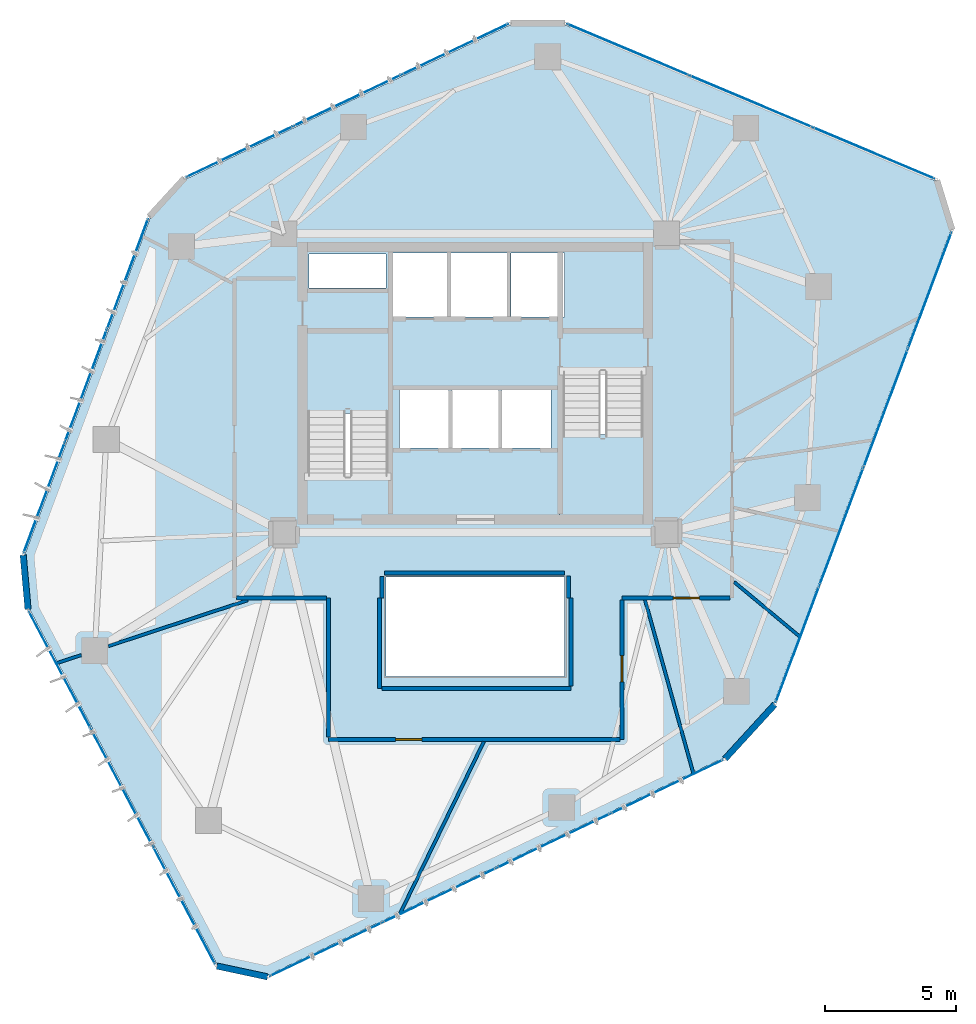
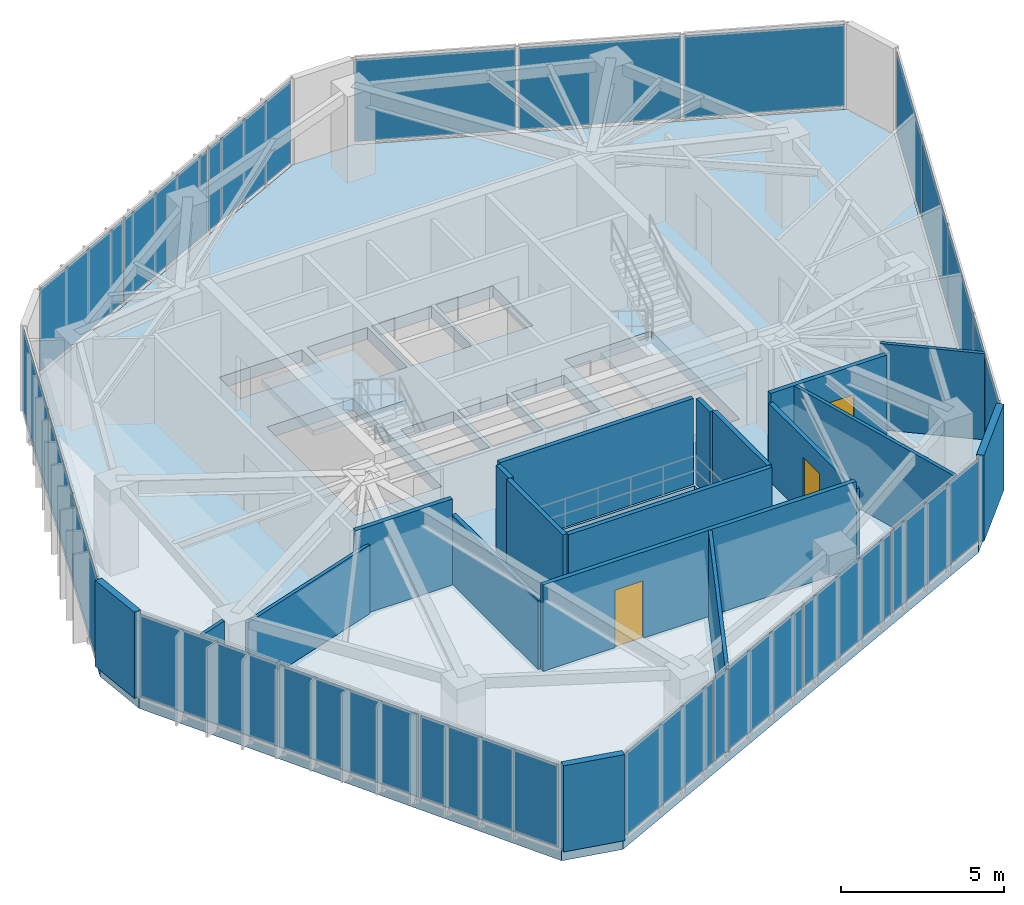
# One storey, part 14 of 18: 20 plates, 19 walls, 3 doors, 3 slabs, 3 openings, 8 elements without a shape of their own.
"""IFC4 building model written with IfcOpenShell, lengths in metres."""

from ifc_helpers import new_model, si_unit, direction, frame, frame_2d, origin, origin_2d, place, context, subcontext, project, spatial, polyline, rectangle, outline, extrude, source, transform, mapped, material, layer, layer_set, type_object, type_shapes, element, fill, aggregate, save


model = new_model("IFC4")

# Units and contexts
model_context = context("Model", 3, precision=1e-05, world=origin(), true_north=direction((0.0, 1.0)))
body_context = subcontext(model_context, "Body", "Model", "MODEL_VIEW")
ifc_project = project(units=[si_unit("LENGTHUNIT", "METRE"), si_unit("AREAUNIT", "SQUARE_METRE"), si_unit("VOLUMEUNIT", "CUBIC_METRE"), si_unit("PLANEANGLEUNIT", "RADIAN"), si_unit("MASSUNIT", "GRAM", prefix="KILO")], contexts=[model_context])

# Site, building, storey
site_placement = place(None, origin())
site = spatial("IfcSite", under=ifc_project, at=site_placement, CompositionType="ELEMENT")
building_placement = place(site_placement, origin())
building = spatial("IfcBuilding", under=site, at=building_placement, Name="Talar Marvaseh", CompositionType="ELEMENT")
storey_placement = place(building_placement, frame((0.0, 0.0, 167.0)))
storey = spatial("IfcBuildingStorey", under=building, at=storey_placement, Name="L43", CompositionType="ELEMENT", Elevation=167.0)

# Stair, slab
ifc_material_1 = material(Name="Concrete C40/50", Category="concrete")
stair_type = type_object("IfcStairType", Name="Reinforced Concrete High-Rise Exit Stair Type C", PredefinedType="HALF_TURN_STAIR", material=ifc_material_1)
stair_1_placement = place(storey_placement, origin())
stair_1 = element("IfcStair", 1, at=stair_1_placement, inside=storey, type_object=stair_type, Name="L43 Tower West Core Exit Stair", PredefinedType="HALF_TURN_STAIR")
ifc_layer_1 = layer(ifc_material_1, 0.199951171875)
ifc_layer_set_1 = layer_set([ifc_layer_1], Name="Concrete C40/50")
slab_type_1 = type_object("IfcSlabType", Name="Reinforced Concrete Stair Half-Landing Slab 200", PredefinedType="LANDING", material=ifc_layer_set_1)
slab_1_placement = place(storey_placement, frame((0.0, 0.0, 1.550048828125)))
slab_1 = element("IfcSlab", 2, at=slab_1_placement, type_object=slab_type_1, Name="ST-1 landing 1", PredefinedType="LANDING", context=body_context, shape_type="SweptSolid", body=[
    extrude(outline(polyline([(22.780029296875, 30.050048828125), (22.780029296875, 33.219970703125), (19.47998046875, 33.219970703125), (19.47998046875, 30.050048828125), (22.780029296875, 30.050048828125)])), origin(), (0.0, 0.0, 1.0), 0.199951171875),
])
aggregate(stair_1, [slab_1])

stair_2_placement = place(storey_placement, origin())
stair_2 = element("IfcStair", 3, at=stair_2_placement, inside=storey, type_object=stair_type, Name="L43 Tower East Core Exit Stair", PredefinedType="HALF_TURN_STAIR")
slab_2_placement = place(storey_placement, frame((0.0, 0.0, 1.550048828125)))
slab_2 = element("IfcSlab", 4, at=slab_2_placement, type_object=slab_type_1, Name="ST-2 landing 1", PredefinedType="LANDING", context=body_context, shape_type="SweptSolid", body=[
    extrude(outline(polyline([(29.219970703125, 29.25), (29.219970703125, 26.080078125), (32.52001953125, 26.080078125), (32.52001953125, 29.25), (29.219970703125, 29.25)])), origin(), (0.0, 0.0, 1.0), 0.199951171875),
])
aggregate(stair_2, [slab_2])

# Slab
ifc_material_2 = material(Name="Concrete C60/75", Category="concrete")
ifc_layer_2 = layer(ifc_material_2, 0.449951171875)
ifc_layer_set_2 = layer_set([ifc_layer_2], Name="Concrete C60/75")
slab_type_2 = type_object("IfcSlabType", Name="Structural Suspended Floor Slab 450", PredefinedType="FLOOR", material=ifc_layer_set_2)
slab_3_placement = place(storey_placement, frame((0.0, 0.0, -0.449951171875)))
element("IfcSlab", 5, at=slab_3_placement, inside=storey, type_object=slab_type_2, Name="L43 Tower Floor Slab", PredefinedType="FLOOR", context=body_context, shape_type="SweptSolid", body=[
    extrude(outline(polyline([(18.081298828125, 8.589111328125), (16.147216796875, 9.002685546875), (8.982421875, 22.565673828125), (8.7958984375, 24.64599609375), (13.589599609375, 37.513671875), (14.94287109375, 38.990478515625), (27.34375, 44.887451171875), (29.432373046875, 44.8828125), (43.568115234375, 38.927490234375), (44.148681640625, 37.036865234375), (37.39111328125, 18.97119140625), (35.4892578125, 16.8955078125), (18.081298828125, 8.589111328125)]), holes=[polyline([(22.659912109375, 27.64990234375), (22.659912109375, 33.10009765625), (19.60009765625, 33.10009765625), (19.60009765625, 27.64990234375), (22.659912109375, 27.64990234375)]), polyline([(29.340087890625, 31.64990234375), (29.340087890625, 26.199951171875), (32.39990234375, 26.199951171875), (32.39990234375, 31.64990234375), (29.340087890625, 31.64990234375)]), polyline([(22.800048828125, 33.719970703125), (24.93994140625, 33.719970703125), (24.93994140625, 36.179931640625), (22.800048828125, 36.179931640625), (22.800048828125, 33.719970703125)]), polyline([(25.080078125, 33.719970703125), (27.219970703125, 33.719970703125), (27.219970703125, 36.179931640625), (25.080078125, 36.179931640625), (25.080078125, 33.719970703125)]), polyline([(27.360107421875, 33.719970703125), (29.39990234375, 33.719970703125), (29.39990234375, 36.179931640625), (27.360107421875, 36.179931640625), (27.360107421875, 33.719970703125)]), polyline([(23.10009765625, 28.719970703125), (24.97998046875, 28.719970703125), (24.97998046875, 30.93994140625), (23.10009765625, 30.93994140625), (23.10009765625, 28.719970703125)]), polyline([(25.1201171875, 28.719970703125), (26.8798828125, 28.719970703125), (26.8798828125, 30.93994140625), (25.1201171875, 30.93994140625), (25.1201171875, 28.719970703125)]), polyline([(27.02001953125, 28.719970703125), (28.89990234375, 28.719970703125), (28.89990234375, 30.93994140625), (27.02001953125, 30.93994140625), (27.02001953125, 28.719970703125)]), polyline([(19.659912109375, 34.840087890625), (22.60009765625, 34.840087890625), (22.60009765625, 36.139892578125), (19.659912109375, 36.139892578125), (19.659912109375, 34.840087890625)]), polyline([(22.60009765625, 20.0), (29.39990234375, 20.0), (29.39990234375, 23.800048828125), (22.60009765625, 23.800048828125), (22.60009765625, 20.0)])]), origin(), (0.0, 0.0, 1.0), 0.449951171875),
])

# Curtain wall, plates
ifc_material_3 = material(Name="Architectural Aluminium", Category="aluminium")
ifc_layer_3 = layer(ifc_material_3, 0.18994140625)
ifc_layer_set_3 = layer_set([ifc_layer_3], Name="Architectural Aluminium")
curtain_wall_type = type_object("IfcCurtainWallType", Name="Unitised Solar Atelier Curtain Wall Z3", PredefinedType="NOTDEFINED", material=ifc_layer_set_3)
curtain_wall_1_placement = place(storey_placement, origin())
curtain_wall_1 = element("IfcCurtainWall", 6, at=curtain_wall_1_placement, inside=storey, type_object=curtain_wall_type, Name="L43 Unitised Solar Atelier Curtain Wall Z3", PredefinedType="NOTDEFINED")
ifc_material_4 = material(Name="Laminated Low-E Solar Glass", Category="glass")
ifc_layer_4 = layer(ifc_material_4, 0.028076171875)
ifc_layer_set_4 = layer_set([ifc_layer_4], Name="Laminated Low-E Solar Glass")
plate_type = type_object("IfcPlateType", Name="Double-Glazed Low-E Vision Curtain Panel 28", PredefinedType="CURTAIN_PANEL", material=ifc_layer_set_4)
shared_shape_1 = source(origin(), body_context, "Body", "SweptSolid", [
    extrude(rectangle(XDim=5.00048828125, YDim=0.028076171875, at=origin_2d()), origin(), (0.0, 0.0, 1.0), 3.080078125),
])
plate_1_placement = place(storey_placement, frame((14.891357421875, 11.251953125, 0.074951171875), z_axis=(0.0, 0.0, 1.0), x_axis=(-0.467100357418, 0.884204306764, 0.0)))
plate_1 = element("IfcPlate", 7, at=plate_1_placement, type_object=plate_type, Name="CW-Z3 panel 1.1", PredefinedType="CURTAIN_PANEL", context=body_context, shape_type="MappedRepresentation", body=[
    mapped(shared_shape_1, transform((0.0, 0.0, 0.0), x_axis=(1.0, 0.0, 0.0), y_axis=(0.0, 1.0, 0.0), z_axis=(0.0, 0.0, 1.0), scale=1.0)),
])
plate_2_placement = place(storey_placement, frame((10.13232421875, 20.2607421875, 0.074951171875), z_axis=(0.0, 0.0, 1.0), x_axis=(-0.467100357418, 0.884204306764, 0.0)))
plate_2 = element("IfcPlate", 8, at=plate_2_placement, type_object=plate_type, Name="CW-Z3 panel 3.1", PredefinedType="CURTAIN_PANEL", context=body_context, shape_type="MappedRepresentation", body=[
    mapped(shared_shape_1, transform((0.0, 0.0, 0.0), x_axis=(1.0, 0.0, 0.0), y_axis=(0.0, 1.0, 0.0), z_axis=(0.0, 0.0, 1.0), scale=1.0)),
])

curtain_wall_2_placement = place(storey_placement, origin())
curtain_wall_2 = element("IfcCurtainWall", 9, at=curtain_wall_2_placement, inside=storey, type_object=curtain_wall_type, Name="L43 Unitised Solar Atelier Curtain Wall Z3", PredefinedType="NOTDEFINED")
plate_3_placement = place(storey_placement, frame((31.828857421875, 43.938232421875, 0.074951171875), z_axis=(0.0, 0.0, 1.0), x_axis=(0.921550801583, -0.388257801082, 0.0)))
plate_3 = element("IfcPlate", 10, at=plate_3_placement, type_object=plate_type, Name="CW-Z3 panel 1.1", PredefinedType="CURTAIN_PANEL", context=body_context, shape_type="MappedRepresentation", body=[
    mapped(shared_shape_1, transform((0.0, 0.0, 0.0), x_axis=(1.0, 0.0, 0.0), y_axis=(0.0, 1.0, 0.0), z_axis=(0.0, 0.0, 1.0), scale=1.0)),
])
plate_4_placement = place(storey_placement, frame((41.21826171875, 39.982666015625, 0.074951171875), z_axis=(0.0, 0.0, 1.0), x_axis=(0.921550801583, -0.388257801082, 0.0)))
plate_4 = element("IfcPlate", 11, at=plate_4_placement, type_object=plate_type, Name="CW-Z3 panel 3.1", PredefinedType="CURTAIN_PANEL", context=body_context, shape_type="MappedRepresentation", body=[
    mapped(shared_shape_1, transform((0.0, 0.0, 0.0), x_axis=(1.0, 0.0, 0.0), y_axis=(0.0, 1.0, 0.0), z_axis=(0.0, 0.0, 1.0), scale=1.0)),
])

# Plate
shared_shape_2 = source(origin(), body_context, "Body", "SweptSolid", [
    extrude(rectangle(XDim=5.0380859375, YDim=0.028076171875, at=origin_2d()), origin(), (0.0, 0.0, 1.0), 3.080078125),
])
plate_5_placement = place(storey_placement, frame((12.51171875, 15.75634765625, 0.074951171875), z_axis=(0.0, 0.0, 1.0), x_axis=(-0.467100357418, 0.884204306764, 0.0)))
plate_5 = element("IfcPlate", 12, at=plate_5_placement, type_object=plate_type, Name="CW-Z3 panel 2.1", PredefinedType="CURTAIN_PANEL", context=body_context, shape_type="MappedRepresentation", body=[
    mapped(shared_shape_2, transform((0.0, 0.0, 0.0), x_axis=(1.0, 0.0, 0.0), y_axis=(0.0, 1.0, 0.0), z_axis=(0.0, 0.0, 1.0), scale=1.0)),
])

aggregate(curtain_wall_1, [plate_1, plate_5, plate_2])

plate_6_placement = place(storey_placement, frame((36.5234375, 41.96044921875, 0.074951171875), z_axis=(0.0, 0.0, 1.0), x_axis=(0.921550801583, -0.388257801082, 0.0)))
plate_6 = element("IfcPlate", 13, at=plate_6_placement, type_object=plate_type, Name="CW-Z3 panel 2.1", PredefinedType="CURTAIN_PANEL", context=body_context, shape_type="MappedRepresentation", body=[
    mapped(shared_shape_2, transform((0.0, 0.0, 0.0), x_axis=(1.0, 0.0, 0.0), y_axis=(0.0, 1.0, 0.0), z_axis=(0.0, 0.0, 1.0), scale=1.0)),
])

aggregate(curtain_wall_2, [plate_3, plate_6, plate_4])

# Curtain wall, plates
curtain_wall_3_placement = place(storey_placement, origin())
curtain_wall_3 = element("IfcCurtainWall", 14, at=curtain_wall_3_placement, inside=storey, type_object=curtain_wall_type, Name="L43 Unitised Solar Atelier Curtain Wall Z3", PredefinedType="NOTDEFINED")
shared_shape_3 = source(origin(), body_context, "Body", "SweptSolid", [
    extrude(rectangle(XDim=4.46484375, YDim=0.028076171875, at=origin_2d()), origin(), (0.0, 0.0, 1.0), 3.080078125),
])
plate_7_placement = place(storey_placement, frame((9.545166015625, 26.8291015625, 0.074951171875), z_axis=(0.0, 0.0, 1.0), x_axis=(0.349097111162, 0.937086552554, 0.0)))
plate_7 = element("IfcPlate", 15, at=plate_7_placement, type_object=plate_type, Name="CW-Z3 panel 1.1", PredefinedType="CURTAIN_PANEL", context=body_context, shape_type="MappedRepresentation", body=[
    mapped(shared_shape_3, transform((0.0, 0.0, 0.0), x_axis=(1.0, 0.0, 0.0), y_axis=(0.0, 1.0, 0.0), z_axis=(0.0, 0.0, 1.0), scale=1.0)),
])
plate_8_placement = place(storey_placement, frame((12.727783203125, 35.372314453125, 0.074951171875), z_axis=(0.0, 0.0, 1.0), x_axis=(0.349097111162, 0.937086552554, 0.0)))
plate_8 = element("IfcPlate", 16, at=plate_8_placement, type_object=plate_type, Name="CW-Z3 panel 3.1", PredefinedType="CURTAIN_PANEL", context=body_context, shape_type="MappedRepresentation", body=[
    mapped(shared_shape_3, transform((0.0, 0.0, 0.0), x_axis=(1.0, 0.0, 0.0), y_axis=(0.0, 1.0, 0.0), z_axis=(0.0, 0.0, 1.0), scale=1.0)),
])

curtain_wall_4_placement = place(storey_placement, origin())
curtain_wall_4 = element("IfcCurtainWall", 17, at=curtain_wall_4_placement, inside=storey, type_object=curtain_wall_type, Name="L43 Unitised Solar Atelier Curtain Wall Z3", PredefinedType="NOTDEFINED")
plate_9_placement = place(storey_placement, frame((17.000732421875, 40.03564453125, 0.074951171875), z_axis=(0.0, 0.0, 1.0), x_axis=(0.903093262381, 0.429444477717, 0.0)))
plate_9 = element("IfcPlate", 18, at=plate_9_placement, type_object=plate_type, Name="CW-Z3 panel 1.1", PredefinedType="CURTAIN_PANEL", context=body_context, shape_type="MappedRepresentation", body=[
    mapped(shared_shape_3, transform((0.0, 0.0, 0.0), x_axis=(1.0, 0.0, 0.0), y_axis=(0.0, 1.0, 0.0), z_axis=(0.0, 0.0, 1.0), scale=1.0)),
])
plate_10_placement = place(storey_placement, frame((25.234130859375, 43.950927734375, 0.074951171875), z_axis=(0.0, 0.0, 1.0), x_axis=(0.903093262381, 0.429444477717, 0.0)))
plate_10 = element("IfcPlate", 19, at=plate_10_placement, type_object=plate_type, Name="CW-Z3 panel 3.1", PredefinedType="CURTAIN_PANEL", context=body_context, shape_type="MappedRepresentation", body=[
    mapped(shared_shape_3, transform((0.0, 0.0, 0.0), x_axis=(1.0, 0.0, 0.0), y_axis=(0.0, 1.0, 0.0), z_axis=(0.0, 0.0, 1.0), scale=1.0)),
])

# Plate
shared_shape_4 = source(origin(), body_context, "Body", "SweptSolid", [
    extrude(rectangle(XDim=4.502197265625, YDim=0.028076171875, at=origin_2d()), origin(), (0.0, 0.0, 1.0), 3.080078125),
])
plate_11_placement = place(storey_placement, frame((11.136474609375, 31.1005859375, 0.074951171875), z_axis=(0.0, 0.0, 1.0), x_axis=(0.349097111162, 0.937086552554, 0.0)))
plate_11 = element("IfcPlate", 20, at=plate_11_placement, type_object=plate_type, Name="CW-Z3 panel 2.1", PredefinedType="CURTAIN_PANEL", context=body_context, shape_type="MappedRepresentation", body=[
    mapped(shared_shape_4, transform((0.0, 0.0, 0.0), x_axis=(1.0, 0.0, 0.0), y_axis=(0.0, 1.0, 0.0), z_axis=(0.0, 0.0, 1.0), scale=1.0)),
])

aggregate(curtain_wall_3, [plate_7, plate_11, plate_8])

plate_12_placement = place(storey_placement, frame((21.117431640625, 41.9931640625, 0.074951171875), z_axis=(0.0, 0.0, 1.0), x_axis=(0.903093262381, 0.429444477717, 0.0)))
plate_12 = element("IfcPlate", 21, at=plate_12_placement, type_object=plate_type, Name="CW-Z3 panel 2.1", PredefinedType="CURTAIN_PANEL", context=body_context, shape_type="MappedRepresentation", body=[
    mapped(shared_shape_4, transform((0.0, 0.0, 0.0), x_axis=(1.0, 0.0, 0.0), y_axis=(0.0, 1.0, 0.0), z_axis=(0.0, 0.0, 1.0), scale=1.0)),
])

aggregate(curtain_wall_4, [plate_9, plate_12, plate_10])

# Curtain wall, plates
curtain_wall_5_placement = place(storey_placement, origin())
curtain_wall_5 = element("IfcCurtainWall", 22, at=curtain_wall_5_placement, inside=storey, type_object=curtain_wall_type, Name="L43 Unitised Solar Atelier Curtain Wall Z3", PredefinedType="NOTDEFINED")
shared_shape_5 = source(origin(), body_context, "Body", "SweptSolid", [
    extrude(rectangle(XDim=4.70947265625, YDim=0.028076171875, at=origin_2d()), origin(), (0.0, 0.0, 1.0), 3.080078125),
])
plate_13_placement = place(storey_placement, frame((43.353759765625, 34.739990234375, 0.074951171875), z_axis=(0.0, 0.0, 1.0), x_axis=(-0.350355160345, -0.936616923625, 0.0)))
plate_13 = element("IfcPlate", 23, at=plate_13_placement, type_object=plate_type, Name="CW-Z3 panel 1.1", PredefinedType="CURTAIN_PANEL", context=body_context, shape_type="MappedRepresentation", body=[
    mapped(shared_shape_5, transform((0.0, 0.0, 0.0), x_axis=(1.0, 0.0, 0.0), y_axis=(0.0, 1.0, 0.0), z_axis=(0.0, 0.0, 1.0), scale=1.0)),
])
plate_14_placement = place(storey_placement, frame((38.298583984375, 21.22607421875, 0.074951171875), z_axis=(0.0, 0.0, 1.0), x_axis=(-0.350355160345, -0.936616923625, 0.0)))
plate_14 = element("IfcPlate", 24, at=plate_14_placement, type_object=plate_type, Name="CW-Z3 panel 4.1", PredefinedType="CURTAIN_PANEL", context=body_context, shape_type="MappedRepresentation", body=[
    mapped(shared_shape_5, transform((0.0, 0.0, 0.0), x_axis=(1.0, 0.0, 0.0), y_axis=(0.0, 1.0, 0.0), z_axis=(0.0, 0.0, 1.0), scale=1.0)),
])

curtain_wall_6_placement = place(storey_placement, origin())
curtain_wall_6 = element("IfcCurtainWall", 25, at=curtain_wall_6_placement, inside=storey, type_object=curtain_wall_type, Name="L43 Unitised Solar Atelier Curtain Wall Z3", PredefinedType="NOTDEFINED")
plate_15_placement = place(storey_placement, frame((33.322021484375, 15.794921875, 0.074951171875), z_axis=(0.0, 0.0, 1.0), x_axis=(-0.902518593112, -0.430650890034, 0.0)))
plate_15 = element("IfcPlate", 26, at=plate_15_placement, type_object=plate_type, Name="CW-Z3 panel 1.1", PredefinedType="CURTAIN_PANEL", context=body_context, shape_type="MappedRepresentation", body=[
    mapped(shared_shape_5, transform((0.0, 0.0, 0.0), x_axis=(1.0, 0.0, 0.0), y_axis=(0.0, 1.0, 0.0), z_axis=(0.0, 0.0, 1.0), scale=1.0)),
])
plate_16_placement = place(storey_placement, frame((20.2998046875, 9.581298828125, 0.074951171875), z_axis=(0.0, 0.0, 1.0), x_axis=(-0.902518593112, -0.430650890034, 0.0)))
plate_16 = element("IfcPlate", 27, at=plate_16_placement, type_object=plate_type, Name="CW-Z3 panel 4.1", PredefinedType="CURTAIN_PANEL", context=body_context, shape_type="MappedRepresentation", body=[
    mapped(shared_shape_5, transform((0.0, 0.0, 0.0), x_axis=(1.0, 0.0, 0.0), y_axis=(0.0, 1.0, 0.0), z_axis=(0.0, 0.0, 1.0), scale=1.0)),
])

# Plate
shared_shape_6 = source(origin(), body_context, "Body", "SweptSolid", [
    extrude(rectangle(XDim=4.7470703125, YDim=0.028076171875, at=origin_2d()), origin(), (0.0, 0.0, 1.0), 3.080078125),
])
type_shapes(plate_type, [shared_shape_1, shared_shape_2, shared_shape_3, shared_shape_4, shared_shape_5, shared_shape_6])
plate_17_placement = place(storey_placement, frame((41.6708984375, 30.2412109375, 0.074951171875), z_axis=(0.0, 0.0, 1.0), x_axis=(-0.350355160345, -0.936616923625, 0.0)))
plate_17 = element("IfcPlate", 28, at=plate_17_placement, type_object=plate_type, Name="CW-Z3 panel 2.1", PredefinedType="CURTAIN_PANEL", context=body_context, shape_type="MappedRepresentation", body=[
    mapped(shared_shape_6, transform((0.0, 0.0, 0.0), x_axis=(1.0, 0.0, 0.0), y_axis=(0.0, 1.0, 0.0), z_axis=(0.0, 0.0, 1.0), scale=1.0)),
])

plate_18_placement = place(storey_placement, frame((39.9814453125, 25.724853515625, 0.074951171875), z_axis=(0.0, 0.0, 1.0), x_axis=(-0.350355160345, -0.936616923625, 0.0)))
plate_18 = element("IfcPlate", 29, at=plate_18_placement, type_object=plate_type, Name="CW-Z3 panel 3.1", PredefinedType="CURTAIN_PANEL", context=body_context, shape_type="MappedRepresentation", body=[
    mapped(shared_shape_6, transform((0.0, 0.0, 0.0), x_axis=(1.0, 0.0, 0.0), y_axis=(0.0, 1.0, 0.0), z_axis=(0.0, 0.0, 1.0), scale=1.0)),
])

aggregate(curtain_wall_5, [plate_13, plate_17, plate_18, plate_14])

plate_19_placement = place(storey_placement, frame((28.987060546875, 13.7265625, 0.074951171875), z_axis=(0.0, 0.0, 1.0), x_axis=(-0.902518593112, -0.430650890034, 0.0)))
plate_19 = element("IfcPlate", 30, at=plate_19_placement, type_object=plate_type, Name="CW-Z3 panel 2.1", PredefinedType="CURTAIN_PANEL", context=body_context, shape_type="MappedRepresentation", body=[
    mapped(shared_shape_6, transform((0.0, 0.0, 0.0), x_axis=(1.0, 0.0, 0.0), y_axis=(0.0, 1.0, 0.0), z_axis=(0.0, 0.0, 1.0), scale=1.0)),
])

plate_20_placement = place(storey_placement, frame((24.635009765625, 11.64990234375, 0.074951171875), z_axis=(0.0, 0.0, 1.0), x_axis=(-0.902518593112, -0.430650890034, 0.0)))
plate_20 = element("IfcPlate", 31, at=plate_20_placement, type_object=plate_type, Name="CW-Z3 panel 3.1", PredefinedType="CURTAIN_PANEL", context=body_context, shape_type="MappedRepresentation", body=[
    mapped(shared_shape_6, transform((0.0, 0.0, 0.0), x_axis=(1.0, 0.0, 0.0), y_axis=(0.0, 1.0, 0.0), z_axis=(0.0, 0.0, 1.0), scale=1.0)),
])

aggregate(curtain_wall_6, [plate_15, plate_19, plate_20, plate_16])

# Walls
ifc_material_5 = material(Name="Precast concrete C45/55", Category="concrete")
ifc_layer_5 = layer(ifc_material_5, 0.239990234375)
ifc_layer_set_5 = layer_set([ifc_layer_5], Name="Precast concrete C45/55")
wall_type_1 = type_object("IfcWallType", Name="Chamfered Hexagonal Corner Pier Wall Z3 240", PredefinedType="SOLIDWALL", material=ifc_layer_set_5)
wall_1_placement = place(storey_placement, frame((18.068603515625, 8.530517578125, 0.0), z_axis=(0.0, 0.0, 1.0), x_axis=(-0.977887246752, 0.209132811008, 0.0)))
element("IfcWall", 32, at=wall_1_placement, inside=storey, type_object=wall_type_1, Name="L43 Chamfered Corner Limestone Pier 1", PredefinedType="SOLIDWALL", context=body_context, shape_type="SweptSolid", body=[
    extrude(rectangle(XDim=1.9775390625, YDim=0.239990234375, at=frame_2d((0.98876953125, 0.0))), origin(), (0.0, 0.0, 1.0), 3.22998046875),
])
wall_2_placement = place(storey_placement, frame((8.922607421875, 22.560302734375, 0.0), z_axis=(0.0, 0.0, 1.0), x_axis=(-0.089312999633, 0.996003608476, 0.0)))
element("IfcWall", 33, at=wall_2_placement, inside=storey, type_object=wall_type_1, Name="L43 Chamfered Corner Limestone Pier 2", PredefinedType="SOLIDWALL", context=body_context, shape_type="SweptSolid", body=[
    extrude(rectangle(XDim=2.08837890625, YDim=0.239990234375, at=frame_2d((1.044189453125, 0.0))), origin(), (0.0, 0.0, 1.0), 3.22998046875),
])
wall_3_placement = place(storey_placement, frame((37.435302734375, 18.9306640625, 0.0), z_axis=(0.0, 0.0, 1.0), x_axis=(-0.675559677325, -0.737305311504, 0.0)))
element("IfcWall", 34, at=wall_3_placement, inside=storey, type_object=wall_type_1, Name="L43 Chamfered Corner Limestone Pier 6", PredefinedType="SOLIDWALL", context=body_context, shape_type="SweptSolid", body=[
    extrude(rectangle(XDim=2.815185546875, YDim=0.239990234375, at=frame_2d((1.40771484375, 0.0))), origin(), (0.0, 0.0, 1.0), 3.22998046875),
])

# Wall, opening, door
ifc_material_6 = material(Name="Gypsum Board Partition Assembly")
ifc_layer_6 = layer(ifc_material_6, 0.155029296875)
ifc_layer_set_6 = layer_set([ifc_layer_6], Name="Gypsum Board Partition Assembly")
wall_type_2 = type_object("IfcWallType", Name="Corridor Fire-Rated Acoustic Partition 155", PredefinedType="PARTITIONING", material=ifc_layer_set_6)
wall_4_placement = place(storey_placement, frame((35.716552734375, 23.0, 0.0), z_axis=(0.0, 0.0, 1.0), x_axis=(-1.0, 0.0, 0.0)))
wall_4 = element("IfcWall", 35, at=wall_4_placement, inside=storey, type_object=wall_type_2, Name="L43 Interior Partition Wall", PredefinedType="PARTITIONING", context=body_context, shape_type="SweptSolid", body=[
    extrude(rectangle(XDim=4.116455078125, YDim=0.155029296875, at=frame_2d((2.05810546875, 0.0))), origin(), (0.0, 0.0, 1.0), 3.22998046875),
])
opening_1_placement = place(wall_4_placement, frame((1.157470703125, 0.0, 0.0)))
opening_1 = element("IfcOpeningElement", 36, at=opening_1_placement, cuts=wall_4, Name="Opening DR-RM100", PredefinedType="OPENING", context=body_context, shape_type="SweptSolid", body=[
    extrude(rectangle(XDim=1.0, YDim=2.14990234375, at=frame_2d((0.5, 1.074951171875))), frame((0.0, 0.08740234375, 0.0), z_axis=(0.0, -1.0, 0.0), x_axis=(1.0, 0.0, 0.0)), (0.0, 0.0, 1.0), 0.175048828125),
])
ifc_material_7 = material(Name="Acoustic Engineered Oak Timber", Category="wood")
door_type = type_object("IfcDoorType", Name="Corridor Fire-Rated Gallery Door 1000x2150", OperationType="NOTDEFINED", PredefinedType="DOOR", material=ifc_material_7)
shared_shape_7 = source(origin(), body_context, "Body", "SweptSolid", [
    extrude(rectangle(XDim=1.0, YDim=2.14990234375, at=frame_2d((0.5, 1.074951171875))), frame((0.0, 0.02490234375, 0.0), z_axis=(0.0, -1.0, 0.0), x_axis=(1.0, 0.0, 0.0)), (0.0, 0.0, 1.0), 0.050048828125),
])
type_shapes(door_type, [shared_shape_7])
door_1_placement = place(opening_1_placement, origin())
door_1 = element("IfcDoor", 37, at=door_1_placement, inside=storey, type_object=door_type, Name="L43 Colloquium Boardroom Door", OperationType="SINGLE_SWING_RIGHT", OverallHeight=2.14990234375, OverallWidth=1.0, PredefinedType="DOOR", context=body_context, shape_type="MappedRepresentation", body=[
    mapped(shared_shape_7, transform((0.0, 0.0, 0.0), x_axis=(1.0, 0.0, 0.0), y_axis=(0.0, 1.0, 0.0), z_axis=(0.0, 0.0, 1.0), scale=1.0)),
])
fill(opening_1, door_1)

wall_5_placement = place(storey_placement, frame((31.60009765625, 22.91650390625, 0.0), z_axis=(0.0, 0.0, 1.0), x_axis=(0.0, -1.0, 0.0)))
wall_5 = element("IfcWall", 38, at=wall_5_placement, inside=storey, type_object=wall_type_2, Name="L43 Interior Partition Wall", PredefinedType="PARTITIONING", context=body_context, shape_type="SweptSolid", body=[
    extrude(rectangle(XDim=5.31640625, YDim=0.155029296875, at=frame_2d((2.658203125, 0.0))), origin(), (0.0, 0.0, 1.0), 2.89208984375),
])
opening_2_placement = place(wall_5_placement, frame((2.116455078125, 0.0, 0.0)))
opening_2 = element("IfcOpeningElement", 39, at=opening_2_placement, cuts=wall_5, Name="Opening DR-RM100", PredefinedType="OPENING", context=body_context, shape_type="SweptSolid", body=[
    extrude(rectangle(XDim=1.0, YDim=2.14990234375, at=frame_2d((0.5, 1.074951171875))), frame((0.0, 0.08740234375, 0.0), z_axis=(0.0, -1.0, 0.0), x_axis=(1.0, 0.0, 0.0)), (0.0, 0.0, 1.0), 0.175048828125),
])
door_2_placement = place(opening_2_placement, origin())
door_2 = element("IfcDoor", 40, at=door_2_placement, inside=storey, type_object=door_type, Name="L43 Museum Publication Bookshop Door", OperationType="SINGLE_SWING_LEFT", OverallHeight=2.14990234375, OverallWidth=1.0, PredefinedType="DOOR", context=body_context, shape_type="MappedRepresentation", body=[
    mapped(shared_shape_7, transform((0.0, 0.0, 0.0), x_axis=(1.0, 0.0, 0.0), y_axis=(0.0, 1.0, 0.0), z_axis=(0.0, 0.0, 1.0), scale=1.0)),
])
fill(opening_2, door_2)

wall_6_placement = place(storey_placement, frame((31.5166015625, 17.60009765625, 0.0), z_axis=(0.0, 0.0, 1.0), x_axis=(-1.0, 0.0, 0.0)))
wall_6 = element("IfcWall", 41, at=wall_6_placement, inside=storey, type_object=wall_type_2, Name="L43 Interior Partition Wall", PredefinedType="PARTITIONING", context=body_context, shape_type="SweptSolid", body=[
    extrude(rectangle(XDim=11.11669921875, YDim=0.155029296875, at=frame_2d((5.558349609375, 0.0))), origin(), (0.0, 0.0, 1.0), 3.22998046875),
])
opening_3_placement = place(wall_6_placement, frame((7.559814453125, 0.0, 0.0)))
opening_3 = element("IfcOpeningElement", 42, at=opening_3_placement, cuts=wall_6, Name="Opening DR-RM100", PredefinedType="OPENING", context=body_context, shape_type="SweptSolid", body=[
    extrude(rectangle(XDim=1.0, YDim=2.14990234375, at=frame_2d((0.5, 1.074951171875))), frame((0.0, 0.08740234375, 0.0), z_axis=(0.0, -1.0, 0.0), x_axis=(1.0, 0.0, 0.0)), (0.0, 0.0, 1.0), 0.175048828125),
])
door_3_placement = place(opening_3_placement, origin())
door_3 = element("IfcDoor", 43, at=door_3_placement, inside=storey, type_object=door_type, Name="L43 Seminar Room Door", OperationType="SINGLE_SWING_RIGHT", OverallHeight=2.14990234375, OverallWidth=1.0, PredefinedType="DOOR", context=body_context, shape_type="MappedRepresentation", body=[
    mapped(shared_shape_7, transform((0.0, 0.0, 0.0), x_axis=(1.0, 0.0, 0.0), y_axis=(0.0, 1.0, 0.0), z_axis=(0.0, 0.0, 1.0), scale=1.0)),
])
fill(opening_3, door_3)

# Walls
wall_7_placement = place(storey_placement, frame((20.39990234375, 17.68359375, 0.0), z_axis=(0.0, 0.0, 1.0), x_axis=(0.0, 1.0, 0.0)))
element("IfcWall", 44, at=wall_7_placement, inside=storey, type_object=wall_type_2, Name="L43 Interior Partition Wall", PredefinedType="PARTITIONING", context=body_context, shape_type="SweptSolid", body=[
    extrude(rectangle(XDim=5.31640625, YDim=0.155029296875, at=frame_2d((2.658203125, 0.0))), origin(), (0.0, 0.0, 1.0), 2.589111328125),
])
wall_8_placement = place(storey_placement, frame((20.31640625, 23.0, 0.0), z_axis=(0.0, 0.0, 1.0), x_axis=(-1.0, 0.0, 0.0)))
element("IfcWall", 45, at=wall_8_placement, inside=storey, type_object=wall_type_2, Name="L43 Interior Partition Wall", PredefinedType="PARTITIONING", context=body_context, shape_type="SweptSolid", body=[
    extrude(rectangle(XDim=3.432861328125, YDim=0.155029296875, at=frame_2d((1.71630859375, 0.0))), origin(), (0.0, 0.0, 1.0), 3.22998046875),
])
wall_9_placement = place(storey_placement, frame((29.415771484375, 23.959228515625, 0.0), z_axis=(0.0, 0.0, 1.0), x_axis=(-0.999998607957, -0.001668557745, 0.0)))
element("IfcWall", 46, at=wall_9_placement, inside=storey, type_object=wall_type_2, Name="L43 Interior Partition Wall", PredefinedType="PARTITIONING", context=body_context, shape_type="SweptSolid", body=[
    extrude(rectangle(XDim=6.876953125, YDim=0.155029296875, at=frame_2d((3.4384765625, 0.0))), origin(), (0.0, 0.0, 1.0), 3.22998046875),
])
wall_10_placement = place(storey_placement, frame((22.44091796875, 23.815673828125, 0.0), z_axis=(0.0, 0.0, 1.0), x_axis=(-0.001197245475, -0.999999283301, 0.0)))
element("IfcWall", 47, at=wall_10_placement, inside=storey, type_object=wall_type_2, Name="L43 Interior Partition Wall", PredefinedType="PARTITIONING", context=body_context, shape_type="SweptSolid", body=[
    extrude(rectangle(XDim=0.815673828125, YDim=0.155029296875, at=frame_2d((0.40771484375, 0.0))), origin(), (0.0, 0.0, 1.0), 3.22998046875),
])
wall_11_placement = place(storey_placement, frame((22.35009765625, 23.0, 0.0), z_axis=(0.0, 0.0, 1.0), x_axis=(0.0, -1.0, 0.0)))
element("IfcWall", 48, at=wall_11_placement, inside=storey, type_object=wall_type_2, Name="L43 Interior Partition Wall", PredefinedType="PARTITIONING", context=body_context, shape_type="SweptSolid", body=[
    extrude(rectangle(XDim=3.449951171875, YDim=0.155029296875, at=frame_2d((1.72509765625, 0.0))), origin(), (0.0, 0.0, 1.0), 3.22998046875),
])
wall_12_placement = place(storey_placement, frame((22.43359375, 19.550048828125, 0.0), z_axis=(0.0, 0.0, 1.0), x_axis=(1.0, 0.0, 0.0)))
element("IfcWall", 49, at=wall_12_placement, inside=storey, type_object=wall_type_2, Name="L43 Interior Partition Wall", PredefinedType="PARTITIONING", context=body_context, shape_type="SweptSolid", body=[
    extrude(rectangle(XDim=7.21630859375, YDim=0.155029296875, at=frame_2d((3.608154296875, 0.0))), origin(), (0.0, 0.0, 1.0), 3.22998046875),
])
wall_13_placement = place(storey_placement, frame((29.64990234375, 19.633544921875, 0.0), z_axis=(0.0, 0.0, 1.0), x_axis=(0.0, 1.0, 0.0)))
element("IfcWall", 50, at=wall_13_placement, inside=storey, type_object=wall_type_2, Name="L43 Interior Partition Wall", PredefinedType="PARTITIONING", context=body_context, shape_type="SweptSolid", body=[
    extrude(rectangle(XDim=3.366455078125, YDim=0.155029296875, at=frame_2d((1.68310546875, 0.0))), origin(), (0.0, 0.0, 1.0), 3.22998046875),
])
wall_14_placement = place(storey_placement, frame((29.56005859375, 23.0, 0.0), z_axis=(0.0, 0.0, 1.0), x_axis=(-0.003817887006, 0.999992711843, 0.0)))
element("IfcWall", 51, at=wall_14_placement, inside=storey, type_object=wall_type_2, Name="L43 Interior Partition Wall", PredefinedType="PARTITIONING", context=body_context, shape_type="SweptSolid", body=[
    extrude(rectangle(XDim=0.831298828125, YDim=0.155029296875, at=frame_2d((0.41552734375, 0.0))), origin(), (0.0, 0.0, 1.0), 3.22998046875),
])
ifc_layer_7 = layer(ifc_material_6, 0.1201171875)
ifc_layer_set_7 = layer_set([ifc_layer_7], Name="Gypsum Board Partition Assembly")
wall_type_3 = type_object("IfcWallType", Name="Demountable Studio Room Partition 120", PredefinedType="PARTITIONING", material=ifc_layer_set_7)
wall_15_placement = place(storey_placement, frame((26.329345703125, 17.5166015625, 0.0), z_axis=(0.0, 0.0, 1.0), x_axis=(-0.438170868219, -0.898891701065, 0.0)))
element("IfcWall", 52, at=wall_15_placement, inside=storey, type_object=wall_type_3, Name="L43 Interior Partition Wall", PredefinedType="PARTITIONING", context=body_context, shape_type="SweptSolid", body=[
    extrude(rectangle(XDim=7.30810546875, YDim=0.1201171875, at=frame_2d((3.654052734375, 0.0))), origin(), (0.0, 0.0, 1.0), 3.22998046875),
])
wall_16_placement = place(storey_placement, frame((10.02685546875, 20.512939453125, 0.0), z_axis=(0.0, 0.0, 1.0), x_axis=(0.94986947647, 0.312646729827, 0.0)))
element("IfcWall", 53, at=wall_16_placement, inside=storey, type_object=wall_type_3, Name="L43 Interior Partition Wall", PredefinedType="PARTITIONING", context=body_context, shape_type="SweptSolid", body=[
    extrude(rectangle(XDim=0.982421875, YDim=0.1201171875, at=frame_2d((0.4912109375, 0.0))), origin(), (0.0, 0.0, 1.0), 3.22998046875),
])
wall_17_placement = place(storey_placement, frame((11.989990234375, 21.159912109375, 0.0), z_axis=(0.0, 0.0, 1.0), x_axis=(0.949696889098, 0.313170590635, 0.0)))
element("IfcWall", 54, at=wall_17_placement, inside=storey, type_object=wall_type_3, Name="L43 Interior Partition Wall", PredefinedType="PARTITIONING", context=body_context, shape_type="SweptSolid", body=[
    extrude(rectangle(XDim=5.609130859375, YDim=0.1201171875, at=frame_2d((2.8046875, 0.0))), origin(), (0.0, 0.0, 1.0), 2.589111328125),
])
wall_18_placement = place(storey_placement, frame((32.4775390625, 22.9375, 0.0), z_axis=(0.0, 0.0, 1.0), x_axis=(0.268466324713, -0.963289070059, 0.0)))
element("IfcWall", 55, at=wall_18_placement, inside=storey, type_object=wall_type_3, Name="L43 Interior Partition Wall", PredefinedType="PARTITIONING", context=body_context, shape_type="SweptSolid", body=[
    extrude(rectangle(XDim=6.888671875, YDim=0.1201171875, at=frame_2d((3.4443359375, 0.0))), origin(), (0.0, 0.0, 1.0), 3.22998046875),
])
wall_19_placement = place(storey_placement, frame((35.883544921875, 23.610595703125, 0.0), z_axis=(0.0, 0.0, 1.0), x_axis=(0.768749602846, -0.639549879309, 0.0)))
element("IfcWall", 56, at=wall_19_placement, inside=storey, type_object=wall_type_3, Name="L43 Interior Partition Wall", PredefinedType="PARTITIONING", context=body_context, shape_type="SweptSolid", body=[
    extrude(rectangle(XDim=3.255859375, YDim=0.1201171875, at=frame_2d((1.6279296875, 0.0))), origin(), (0.0, 0.0, 1.0), 3.22998046875),
])

save(model, "model.ifc")
